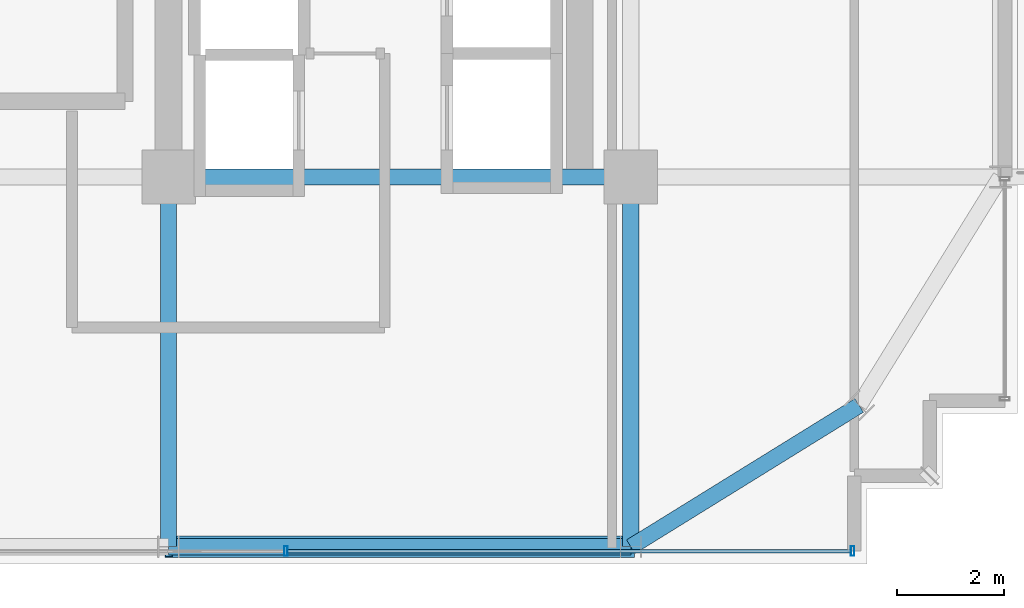
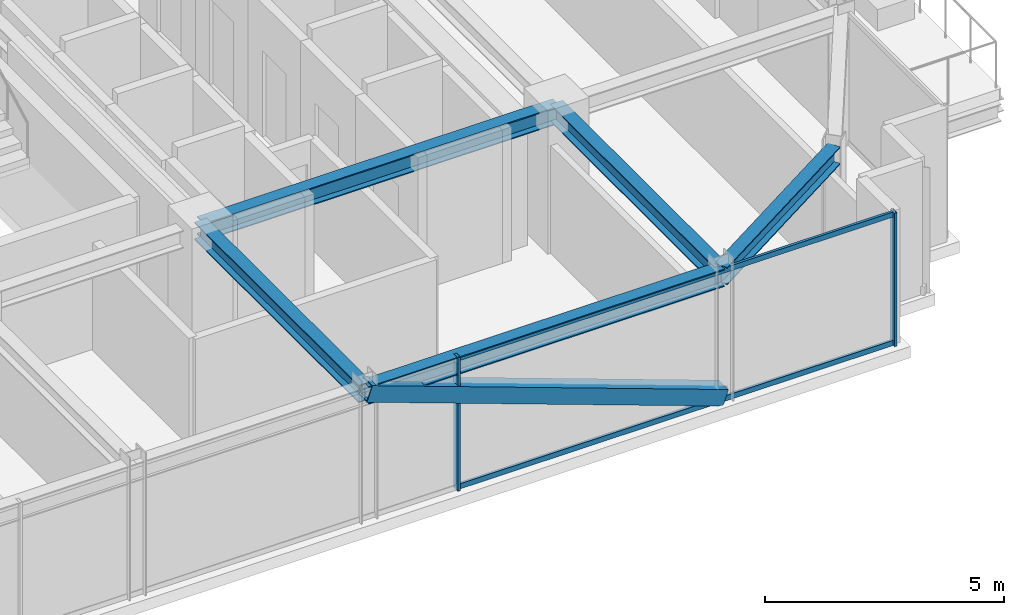
# One storey, part 12 of 42: 5 beams, 5 members, 1 element without a shape of its own.
"""IFC4 building model written with IfcOpenShell, lengths in metres."""

from ifc_helpers import new_model, si_unit, direction, frame, origin, origin_2d, place, context, subcontext, project, spatial, hollow_rectangle, i_section, extrude, source, transform, mapped, material, material_profile, profile_set, type_object, element, aggregate, save


model = new_model("IFC4")

# Units and contexts
model_context = context("Model", 3, precision=1e-05, world=origin(), true_north=direction((0.0, 1.0)))
body_context = subcontext(model_context, "Body", "Model", "MODEL_VIEW")
ifc_project = project(units=[si_unit("LENGTHUNIT", "METRE"), si_unit("AREAUNIT", "SQUARE_METRE"), si_unit("VOLUMEUNIT", "CUBIC_METRE"), si_unit("PLANEANGLEUNIT", "RADIAN"), si_unit("MASSUNIT", "GRAM", prefix="KILO")], contexts=[model_context])

# Site, building, storey
site_placement = place(None, origin())
site = spatial("IfcSite", under=ifc_project, at=site_placement, CompositionType="ELEMENT")
building_placement = place(site_placement, origin())
building = spatial("IfcBuilding", under=site, at=building_placement, Name="Nahalor Promenade Grand Hotel", CompositionType="ELEMENT")
storey_placement = place(building_placement, frame((0.0, 0.0, 249.300048828125)))
storey = spatial("IfcBuildingStorey", under=building, at=storey_placement, Name="L64", CompositionType="ELEMENT", Elevation=249.300048828125)

# Beams
ifc_material_1 = material(Name="Steel S355JR", Category="steel")
ifc_material_profile_1 = material_profile(ifc_material_1, i_section(OverallWidth=0.3, OverallDepth=0.45, WebThickness=0.014, FlangeThickness=0.026, at=origin_2d()), Name="HEB 450")
ifc_profile_set_1 = profile_set([ifc_material_profile_1], Name="Steel S355JR")
beam_type_1 = type_object("IfcBeamType", Name="Beam-Spandrel-HEB450", PredefinedType="SPANDREL", material=ifc_profile_set_1)
shared_shape_1 = source(origin(), body_context, "Body", "SweptSolid", [
    extrude(i_section(OverallWidth=0.3, OverallDepth=0.45, WebThickness=0.014, FlangeThickness=0.026, at=origin_2d()), origin(), (0.0, 0.0, 1.0), 8.60009765625),
])
beam_1_placement = place(storey_placement, frame((8.39990234375, -23.8798828125, 3.18505859375), z_axis=(1.0, 0.0, 0.0), x_axis=(0.0, 1.0, 0.0)))
element("IfcBeam", 1, at=beam_1_placement, inside=storey, type_object=beam_type_1, Name="BM-L64-SP-S-4", PredefinedType="SPANDREL", context=body_context, shape_type="MappedRepresentation", body=[
    mapped(shared_shape_1, transform((0.0, 0.0, 0.0), scale=1.0)),
])
shared_shape_2 = source(origin(), body_context, "Body", "SweptSolid", [
    extrude(i_section(OverallWidth=0.3, OverallDepth=0.45, WebThickness=0.014, FlangeThickness=0.026, at=origin_2d()), origin(), (0.0, 0.0, 1.0), 4.997802734375),
])
beam_2_placement = place(storey_placement, frame((17.0, -23.8798828125, 3.18505859375), z_axis=(0.850360908404, 0.526199891161, 0.0), x_axis=(-0.526199891161, 0.850360908404, 0.0)))
element("IfcBeam", 2, at=beam_2_placement, inside=storey, type_object=beam_type_1, Name="BM-L64-SPC-SE-1", PredefinedType="SPANDREL", context=body_context, shape_type="MappedRepresentation", body=[
    mapped(shared_shape_2, transform((0.0, 0.0, 0.0), scale=1.0)),
])
ifc_material_profile_2 = material_profile(ifc_material_1, i_section(OverallWidth=0.3, OverallDepth=0.45, WebThickness=0.014, FlangeThickness=0.026, at=origin_2d()), Name="HEB 450")
ifc_profile_set_2 = profile_set([ifc_material_profile_2], Name="Steel S355JR")
beam_type_2 = type_object("IfcBeamType", Name="Beam-Girder-HEB450", PredefinedType="BEAM", material=ifc_profile_set_2)
shared_shape_3 = source(origin(), body_context, "Body", "SweptSolid", [
    extrude(i_section(OverallWidth=0.3, OverallDepth=0.45, WebThickness=0.014, FlangeThickness=0.026, at=origin_2d()), origin(), (0.0, 0.0, 1.0), 6.8798828125),
])
for number, where, z_axis, x_axis, name in (
    (3, (8.39990234375, -23.8798828125, 3.18505859375), (0.0, 1.0, 0.0), (-1.0, 0.0, 0.0), "BM-L64-GY-4-0"),
    (4, (17.0, -23.8798828125, 3.18505859375), (0.0, 1.0, 0.0), (-1.0, 0.0, 0.0), "BM-L64-GY-5-0"),
):
    element("IfcBeam", number, at=place(storey_placement, frame(where, z_axis=z_axis, x_axis=x_axis)), inside=storey, type_object=beam_type_2, Name=name, PredefinedType="BEAM", context=body_context, shape_type="MappedRepresentation", body=[
        mapped(shared_shape_3, transform((0.0, 0.0, 0.0), scale=1.0)),
    ])
shared_shape_4 = source(origin(), body_context, "Body", "SweptSolid", [
    extrude(i_section(OverallWidth=0.3, OverallDepth=0.45, WebThickness=0.014, FlangeThickness=0.026, at=origin_2d()), origin(), (0.0, 0.0, 1.0), 8.60009765625),
])
beam_3_placement = place(storey_placement, frame((8.39990234375, -17.0, 3.18505859375), z_axis=(1.0, 0.0, 0.0), x_axis=(0.0, 1.0, 0.0)))
element("IfcBeam", 5, at=beam_3_placement, inside=storey, type_object=beam_type_2, Name="BM-L64-GX-0-5", PredefinedType="BEAM", context=body_context, shape_type="MappedRepresentation", body=[
    mapped(shared_shape_4, transform((0.0, 0.0, 0.0), scale=1.0)),
])

# Member
ifc_material_profile_3 = material_profile(ifc_material_1, hollow_rectangle(XDim=0.4, YDim=0.4, WallThickness=0.022, at=origin_2d()), Name="SHS 400x400x22")
ifc_profile_set_3 = profile_set([ifc_material_profile_3], Name="Steel S355JR")
member_type_1 = type_object("IfcMemberType", Name="Mem-ExoBrace-SHS400", PredefinedType="BRACE", material=ifc_profile_set_3)
shared_shape_5 = source(origin(), body_context, "Body", "SweptSolid", [
    extrude(hollow_rectangle(XDim=0.4, YDim=0.4, WallThickness=0.022, at=origin_2d()), origin(), (0.0, 0.0, 1.0), 9.145263671875),
])
member_1_placement = place(storey_placement, frame((17.0, -23.8798828125, 0.14990234375), z_axis=(-0.940396027132, 0.0, 0.340081331676), x_axis=(0.0, -1.0, 0.0)))
element("IfcMember", 6, at=member_1_placement, inside=storey, type_object=member_type_1, Name="EXO-L64-S-1", PredefinedType="BRACE", context=body_context, shape_type="MappedRepresentation", body=[
    mapped(shared_shape_5, transform((0.0, 0.0, 0.0), scale=1.0)),
])

# Curtain wall, members
ifc_material_2 = material(Name="Anodised Bronze Aluminium EN AW-6063 T6", Category="aluminium")
curtain_wall_type = type_object("IfcCurtainWallType", Name="CW2 Typical Hotel Flush Bronze Unitised Curtain Wall", PredefinedType="USERDEFINED", material=ifc_material_2)
curtain_wall_placement = place(storey_placement, origin())
curtain_wall = element("IfcCurtainWall", 7, at=curtain_wall_placement, inside=storey, type_object=curtain_wall_type, Name="L64 Curtain Wall CW-L64-S-1", ObjectType="UNITISED_CURTAIN_WALL", PredefinedType="USERDEFINED")
ifc_material_profile_4 = material_profile(ifc_material_2, hollow_rectangle(XDim=0.065, YDim=0.13, WallThickness=0.004, at=origin_2d()), Name="CWT 65x130x4")
ifc_profile_set_4 = profile_set([ifc_material_profile_4], Name="Anodised Bronze Aluminium EN AW-6063 T6")
member_type_2 = type_object("IfcMemberType", Name="CWT2 Typical Bronze Transom 65x130", PredefinedType="USERDEFINED", material=ifc_profile_set_4)
shared_shape_6 = source(origin(), body_context, "Body", "SweptSolid", [
    extrude(hollow_rectangle(XDim=0.065, YDim=0.13, WallThickness=0.004, at=origin_2d()), origin(), (0.0, 0.0, 1.0), 10.482421875),
])
member_2_placement = place(storey_placement, frame((10.612548828125, -23.9599609375, 0.06494140625), z_axis=(1.0, 0.0, 0.0), x_axis=(0.0, 1.0, 0.0)))
member_2 = element("IfcMember", 8, at=member_2_placement, type_object=member_type_2, Name="CW-L64-S-1 Transom 3-0", ObjectType="TRANSOM", PredefinedType="USERDEFINED", context=body_context, shape_type="MappedRepresentation", body=[
    mapped(shared_shape_6, transform((0.0, 0.0, 0.0), scale=1.0)),
])
member_3_placement = place(storey_placement, frame((10.612548828125, -23.9599609375, 3.344970703125), z_axis=(1.0, 0.0, 0.0), x_axis=(0.0, 1.0, 0.0)))
member_3 = element("IfcMember", 9, at=member_3_placement, type_object=member_type_2, Name="CW-L64-S-1 Transom 3-1", ObjectType="TRANSOM", PredefinedType="USERDEFINED", context=body_context, shape_type="MappedRepresentation", body=[
    mapped(shared_shape_6, transform((0.0, 0.0, 0.0), scale=1.0)),
])
ifc_material_profile_5 = material_profile(ifc_material_2, hollow_rectangle(XDim=0.065, YDim=0.18, WallThickness=0.004, at=origin_2d()), Name="CWM 65x180x4")
ifc_profile_set_5 = profile_set([ifc_material_profile_5], Name="Anodised Bronze Aluminium EN AW-6063 T6")
member_type_3 = type_object("IfcMemberType", Name="CWM2 Typical Bronze Mullion 65x180", PredefinedType="MULLION", material=ifc_profile_set_5)
shared_shape_7 = source(origin(), body_context, "Body", "SweptSolid", [
    extrude(hollow_rectangle(XDim=0.065, YDim=0.18, WallThickness=0.004, at=origin_2d()), origin(), (0.0, 0.0, 1.0), 3.409912109375),
])
member_4_placement = place(storey_placement, frame((10.580078125, -23.9599609375, 0.0), z_axis=(0.0, 0.0, 1.0), x_axis=(1.0, 0.0, 0.0)))
member_4 = element("IfcMember", 10, at=member_4_placement, type_object=member_type_3, Name="CW-L64-S-1 Mullion 3", PredefinedType="MULLION", context=body_context, shape_type="MappedRepresentation", body=[
    mapped(shared_shape_7, transform((0.0, 0.0, 0.0), scale=1.0)),
])
member_5_placement = place(storey_placement, frame((21.12744140625, -23.9599609375, 0.0), z_axis=(0.0, 0.0, 1.0), x_axis=(1.0, 0.0, 0.0)))
member_5 = element("IfcMember", 11, at=member_5_placement, type_object=member_type_3, Name="CW-L64-S-1 Mullion 4", PredefinedType="MULLION", context=body_context, shape_type="MappedRepresentation", body=[
    mapped(shared_shape_7, transform((0.0, 0.0, 0.0), scale=1.0)),
])
aggregate(curtain_wall, [member_4, member_5, member_2, member_3])

save(model, "model.ifc")
